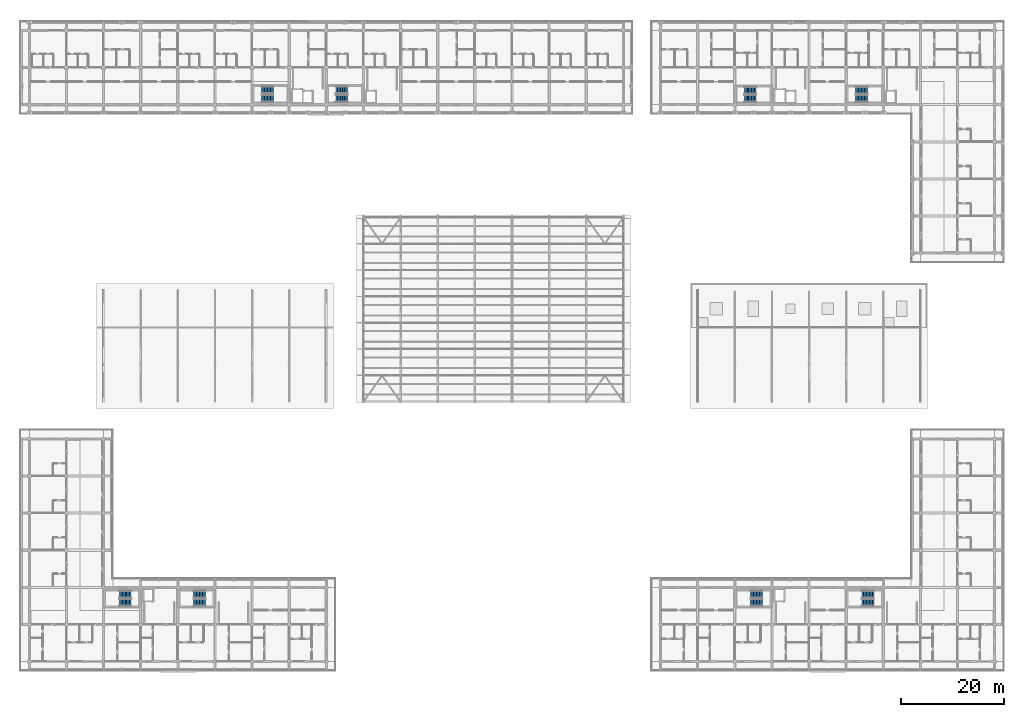
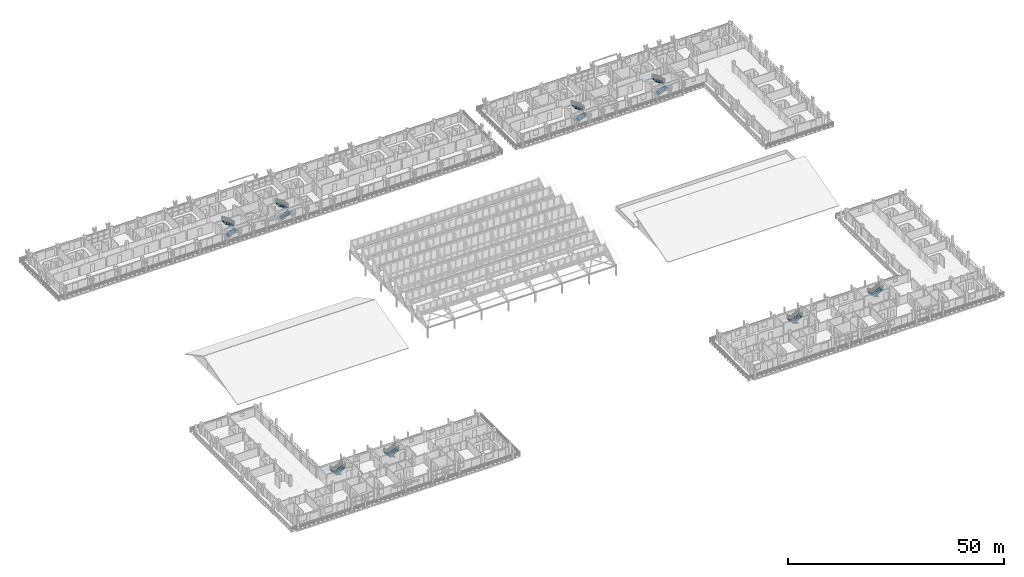
# One storey, part 138 of 157: 16 stair flights, 8 elements without a shape of their own.
"""IFC4 building model written with IfcOpenShell, lengths in metres."""

import ifcopenshell
import ifcopenshell.guid

model = None  # the IFC model being written
_history = None  # IfcOwnerHistory: only IFC2X3 demands one
_inside = {}  # id of a spatial element -> (the spatial element, [elements in it])
_under = {}  # id of a project, library or spatial element -> (it, [spatial elements below it])
_declared = {}  # id of a project -> (the project, [libraries it declares])
_typed = {}  # id of a type object -> (the type object, [elements of that type])
_made_of = {}  # id of a material, layer set ... -> (it, [elements and type objects made of it])


def new_model(schema):
    """Start an empty IFC model of exactly this schema.

    Asked for "IFC4X3", IfcOpenShell would pick the latest addendum, in which some entities
    have other attributes; the version numbers below select the first issue.
    IFC2X3 requires an IfcOwnerHistory on every rooted entity: one is made here for all.
    """
    global model, _history
    if schema == "IFC4X3":
        model = ifcopenshell.file(schema_version=(4, 3, 0, 0))
    else:
        model = ifcopenshell.file(schema=schema)
    _inside.clear()
    _under.clear()
    _declared.clear()
    _typed.clear()
    _made_of.clear()
    _history = None
    if model.schema == "IFC2X3":
        org = make("IfcOrganization", Name="unknown")
        user = make(
            "IfcPersonAndOrganization",
            ThePerson=make("IfcPerson", FamilyName="unknown"),
            TheOrganization=org,
        )
        app = make(
            "IfcApplication",
            ApplicationDeveloper=org,
            Version="unknown",
            ApplicationFullName="unknown",
            ApplicationIdentifier="unknown",
        )
        _history = make(
            "IfcOwnerHistory",
            OwningUser=user,
            OwningApplication=app,
            ChangeAction="ADDED",
            CreationDate=0,
        )
    return model


def make(cls, **values):
    """One entity of the class cls with the attributes given. An attribute that is None is left unset."""
    return model.create_entity(
        cls, **{name: value for name, value in values.items() if value is not None}
    )


def rooted(cls, **values):
    """An entity with a GlobalId (a new one), such as an element, a storey or a relation."""
    return make(cls, GlobalId=ifcopenshell.guid.new(), OwnerHistory=_history, **values)


def si_unit(unit_type, name, prefix=None):
    """IfcSIUnit, for example si_unit("LENGTHUNIT", "METRE", prefix="MILLI")."""
    return make("IfcSIUnit", UnitType=unit_type, Prefix=prefix, Name=name)


def assignment(units):
    """IfcUnitAssignment: the units of a project."""
    return None if units is None else make("IfcUnitAssignment", Units=units)


def point(xyz):
    """IfcCartesianPoint."""
    return None if xyz is None else make("IfcCartesianPoint", Coordinates=xyz)


def direction(xyz):
    """IfcDirection."""
    return None if xyz is None else make("IfcDirection", DirectionRatios=xyz)


def frame(location, z_axis=None, x_axis=None):
    """IfcAxis2Placement3D, a coordinate frame: its origin and axes. An axis left out is left unset."""
    return make(
        "IfcAxis2Placement3D",
        Location=point(location),
        Axis=direction(z_axis),
        RefDirection=direction(x_axis),
    )


def origin():
    """The frame at (0, 0, 0) with its axes left unset."""
    return frame((0.0, 0.0, 0.0))


def place(relative_to, where):
    """IfcLocalPlacement: puts the frame where relative to a parent placement (None: the world)."""
    return make(
        "IfcLocalPlacement", PlacementRelTo=relative_to, RelativePlacement=where
    )


def context(
    kind, dimensions, precision=None, world=None, true_north=None, identifier=None
):
    """IfcGeometricRepresentationContext, for example the 3D "Model" context."""
    return make(
        "IfcGeometricRepresentationContext",
        ContextIdentifier=identifier,
        ContextType=kind,
        CoordinateSpaceDimension=dimensions,
        Precision=precision,
        WorldCoordinateSystem=world,
        TrueNorth=true_north,
    )


def subcontext(parent, identifier, kind, view, scale=None):
    """IfcGeometricRepresentationSubContext, for example "Body" below "Model"."""
    return make(
        "IfcGeometricRepresentationSubContext",
        ContextIdentifier=identifier,
        ContextType=kind,
        ParentContext=parent,
        TargetScale=scale,
        TargetView=view,
    )


def project(units=None, contexts=None):
    """IfcProject with its units and contexts."""
    return rooted(
        "IfcProject",
        Name="project",
        RepresentationContexts=contexts,
        UnitsInContext=assignment(units),
    )


def spatial(cls, under=None, at=None, **own):
    """A site, building, storey or space (cls), placed at a placement, below another one or the project."""
    s = rooted(cls, ObjectPlacement=at, **own)
    if under is not None:
        _under.setdefault(under.id(), (under, []))[1].append(s)
    return s


def polyline(points):
    """IfcPolyline through the points."""
    return make("IfcPolyline", Points=[point(p) for p in points])


def outline(outer, holes=None, kind="AREA"):
    """IfcArbitraryClosedProfileDef: a profile drawn as a closed curve; with holes, ...WithVoids."""
    if holes is None:
        return make("IfcArbitraryClosedProfileDef", ProfileType=kind, OuterCurve=outer)
    return make(
        "IfcArbitraryProfileDefWithVoids",
        ProfileType=kind,
        OuterCurve=outer,
        InnerCurves=holes,
    )


def extrude(swept, where, along, depth):
    """IfcExtrudedAreaSolid: the profile swept, set in the frame where, extruded along a direction by depth."""
    return make(
        "IfcExtrudedAreaSolid",
        SweptArea=swept,
        Position=where,
        ExtrudedDirection=direction(along),
        Depth=depth,
    )


def shape(context_of_items, identifier, shape_type, items):
    """IfcShapeRepresentation: the items that make up one representation, for example the "Body"."""
    return make(
        "IfcShapeRepresentation",
        ContextOfItems=context_of_items,
        RepresentationIdentifier=identifier,
        RepresentationType=shape_type,
        Items=items,
    )


def material(Name=None, Category=None):
    """IfcMaterial."""
    return make("IfcMaterial", Name=Name, Category=Category)


def made_of(thing, what):
    """Note that an element or type object is made of a material, layer set ...; save() writes the relation."""
    if what is not None:
        _made_of.setdefault(what.id(), (what, []))[1].append(thing)
    return thing


def type_object(cls, material=None, **own):
    """A type object (cls), such as IfcWallType, which elements share."""
    return made_of(rooted(cls, **own), material)


def element(
    cls,
    number,
    at=None,
    inside=None,
    cuts=None,
    type_object=None,
    material=None,
    context=None,
    identifier="Body",
    shape_type=None,
    held_by="IfcProductDefinitionShape",
    body=None,
    shapes=None,
    **own,
):
    """One element of the class cls, such as IfcWall. Its Tag is "e" and its number.

    at: its placement. inside: the storey or other place that contains it. cuts: it is an
    opening in that element (IfcRelVoidsElement). A single representation is given by context,
    identifier, shape_type and body (its items); several are given by shapes. held_by: the class
    of the entity that holds the representations. save() writes the other relations.
    """
    e = rooted(cls, Tag="e%d" % number, ObjectPlacement=at, **own)
    if body is not None:
        shapes = [shape(context, identifier, shape_type, body)]
    if shapes is not None:
        e.Representation = make(held_by, Representations=shapes)
    if inside is not None:
        _inside.setdefault(inside.id(), (inside, []))[1].append(e)
    if cuts is not None:
        rooted(
            "IfcRelVoidsElement", RelatingBuildingElement=cuts, RelatedOpeningElement=e
        )
    if type_object is not None:
        _typed.setdefault(type_object.id(), (type_object, []))[1].append(e)
    return made_of(e, material)


def aggregate(whole, parts):
    """IfcRelAggregates: a whole, such as a stair, and the parts it consists of."""
    return rooted("IfcRelAggregates", RelatingObject=whole, RelatedObjects=parts)


def save(model, path):
    """Write the relations noted so far, then the file.

    IfcRelAggregates (storeys below a building ...), IfcRelContainedInSpatialStructure (elements
    in a storey), IfcRelDefinesByType, IfcRelAssociatesMaterial and IfcRelDeclares: one each for
    every whole, place, type object, material and project.
    """
    for whole, parts in _under.values():
        aggregate(whole, parts)
    for where, things in _inside.values():
        rooted(
            "IfcRelContainedInSpatialStructure",
            RelatedElements=things,
            RelatingStructure=where,
        )
    for kind, things in _typed.values():
        rooted("IfcRelDefinesByType", RelatedObjects=things, RelatingType=kind)
    for what, things in _made_of.values():
        rooted("IfcRelAssociatesMaterial", RelatedObjects=things, RelatingMaterial=what)
    for by, libraries in _declared.values():
        rooted("IfcRelDeclares", RelatingContext=by, RelatedDefinitions=libraries)
    model.write(path)


model = new_model("IFC4")

# Units and contexts
model_context = context("Model", 3, precision=1e-05, world=origin(), true_north=direction((0.0, 1.0)))
body_context = subcontext(model_context, "Body", "Model", "MODEL_VIEW")
ifc_project = project(units=[si_unit("LENGTHUNIT", "METRE"), si_unit("AREAUNIT", "SQUARE_METRE"), si_unit("VOLUMEUNIT", "CUBIC_METRE"), si_unit("PLANEANGLEUNIT", "RADIAN"), si_unit("MASSUNIT", "GRAM", prefix="KILO")], contexts=[model_context])

# Site, building, storey
site_placement = place(None, origin())
site = spatial("IfcSite", under=ifc_project, at=site_placement, CompositionType="ELEMENT")
building_placement = place(site_placement, origin())
building = spatial("IfcBuilding", under=site, at=building_placement, Name="Suanplinth Sawtooth Commons", CompositionType="ELEMENT")
storey_placement = place(building_placement, frame((0.0, 0.0, 9.0)))
storey = spatial("IfcBuildingStorey", under=building, at=storey_placement, Name="L02", CompositionType="ELEMENT", Elevation=9.0)

# Stair, stair flights
ifc_material = material(Name="Concrete C40/50", Category="concrete")
stair_type_1 = type_object("IfcStairType", Name="ST-03", PredefinedType="USERDEFINED", material=ifc_material)
stair_1_placement = place(storey_placement, origin())
stair_1 = element("IfcStair", 1, at=stair_1_placement, inside=storey, type_object=stair_type_1, Name="L02 Exit Stair ST-N1", ObjectType="TWO_RETURN_STAIR", PredefinedType="USERDEFINED")
stair_flight_type_1 = type_object("IfcStairFlightType", Name="SF-04", PredefinedType="STRAIGHT", material=ifc_material)
stair_flight_1_placement = place(storey_placement, frame((45.050048828125, 109.175048828125, 0.0), z_axis=(0.0, 0.0, 1.0), x_axis=(1.0, 0.0, 0.0)))
stair_flight_1 = element("IfcStairFlight", 2, at=stair_flight_1_placement, type_object=stair_flight_type_1, Name="ST-03 flight 1", NumberOfRisers=9, NumberOfTreads=8, PredefinedType="STRAIGHT", RiserHeight=0.177777778, TreadLength=0.285, context=body_context, shape_type="SweptSolid", body=[
    extrude(outline(polyline([(0.0, 0.0), (0.0, 0.177734375), (0.284912109375, 0.177734375), (0.284912109375, 0.35546875), (0.570068359375, 0.35546875), (0.570068359375, 0.533447265625), (0.85498046875, 0.533447265625), (0.85498046875, 0.711181640625), (1.139892578125, 0.711181640625), (1.139892578125, 0.888916015625), (1.425048828125, 0.888916015625), (1.425048828125, 1.066650390625), (1.7099609375, 1.066650390625), (1.7099609375, 1.244384765625), (1.9951171875, 1.244384765625), (1.9951171875, 1.422119140625), (2.280029296875, 1.422119140625), (2.280029296875, 1.60009765625), (2.280029296875, 1.233642578125), (0.30224609375, 0.0), (0.0, 0.0)])), frame((0.0, 0.72509765625, 0.0), z_axis=(0.0, -1.0, 0.0), x_axis=(1.0, 0.0, 0.0)), (0.0, 0.0, 1.0), 1.449951171875),
])
stair_flight_2_placement = place(storey_placement, frame((47.330078125, 110.824951171875, 1.60009765625), z_axis=(0.0, 0.0, 1.0), x_axis=(-1.0, 0.0, 0.0)))
stair_flight_2 = element("IfcStairFlight", 3, at=stair_flight_2_placement, type_object=stair_flight_type_1, Name="ST-03 flight 2", NumberOfRisers=9, NumberOfTreads=8, PredefinedType="STRAIGHT", RiserHeight=0.177777778, TreadLength=0.285, context=body_context, shape_type="SweptSolid", body=[
    extrude(outline(polyline([(0.0, 0.0), (0.0, 0.177734375), (0.284912109375, 0.177734375), (0.284912109375, 0.35546875), (0.570068359375, 0.35546875), (0.570068359375, 0.533447265625), (0.85498046875, 0.533447265625), (0.85498046875, 0.711181640625), (1.139892578125, 0.711181640625), (1.139892578125, 0.888916015625), (1.425048828125, 0.888916015625), (1.425048828125, 1.066650390625), (1.7099609375, 1.066650390625), (1.7099609375, 1.244384765625), (1.9951171875, 1.244384765625), (1.9951171875, 1.422119140625), (2.280029296875, 1.422119140625), (2.280029296875, 1.60009765625), (2.280029296875, 1.233642578125), (0.30224609375, 0.0), (0.0, 0.0)])), frame((0.0, 0.72509765625, 0.0), z_axis=(0.0, -1.0, 0.0), x_axis=(1.0, 0.0, 0.0)), (0.0, 0.0, 1.0), 1.449951171875),
])
aggregate(stair_1, [stair_flight_1, stair_flight_2])

stair_2_placement = place(storey_placement, origin())
stair_2 = element("IfcStair", 4, at=stair_2_placement, inside=storey, type_object=stair_type_1, Name="L02 Exit Stair ST-N2", ObjectType="TWO_RETURN_STAIR", PredefinedType="USERDEFINED")
stair_flight_3_placement = place(storey_placement, frame((59.449951171875, 109.175048828125, 0.0), z_axis=(0.0, 0.0, 1.0), x_axis=(1.0, 0.0, 0.0)))
stair_flight_3 = element("IfcStairFlight", 5, at=stair_flight_3_placement, type_object=stair_flight_type_1, Name="ST-03 flight 1", NumberOfRisers=9, NumberOfTreads=8, PredefinedType="STRAIGHT", RiserHeight=0.177777778, TreadLength=0.285, context=body_context, shape_type="SweptSolid", body=[
    extrude(outline(polyline([(0.0, 0.0), (0.0, 0.177734375), (0.284912109375, 0.177734375), (0.284912109375, 0.35546875), (0.570068359375, 0.35546875), (0.570068359375, 0.533447265625), (0.85498046875, 0.533447265625), (0.85498046875, 0.711181640625), (1.139892578125, 0.711181640625), (1.139892578125, 0.888916015625), (1.425048828125, 0.888916015625), (1.425048828125, 1.066650390625), (1.7099609375, 1.066650390625), (1.7099609375, 1.244384765625), (1.9951171875, 1.244384765625), (1.9951171875, 1.422119140625), (2.280029296875, 1.422119140625), (2.280029296875, 1.60009765625), (2.280029296875, 1.233642578125), (0.30224609375, 0.0), (0.0, 0.0)])), frame((0.0, 0.72509765625, 0.0), z_axis=(0.0, -1.0, 0.0), x_axis=(1.0, 0.0, 0.0)), (0.0, 0.0, 1.0), 1.449951171875),
])
stair_flight_4_placement = place(storey_placement, frame((61.72998046875, 110.824951171875, 1.60009765625), z_axis=(0.0, 0.0, 1.0), x_axis=(-1.0, 0.0, 0.0)))
stair_flight_4 = element("IfcStairFlight", 6, at=stair_flight_4_placement, type_object=stair_flight_type_1, Name="ST-03 flight 2", NumberOfRisers=9, NumberOfTreads=8, PredefinedType="STRAIGHT", RiserHeight=0.177777778, TreadLength=0.285, context=body_context, shape_type="SweptSolid", body=[
    extrude(outline(polyline([(0.0, 0.0), (0.0, 0.177734375), (0.284912109375, 0.177734375), (0.284912109375, 0.35546875), (0.570068359375, 0.35546875), (0.570068359375, 0.533447265625), (0.85498046875, 0.533447265625), (0.85498046875, 0.711181640625), (1.139892578125, 0.711181640625), (1.139892578125, 0.888916015625), (1.425048828125, 0.888916015625), (1.425048828125, 1.066650390625), (1.7099609375, 1.066650390625), (1.7099609375, 1.244384765625), (1.9951171875, 1.244384765625), (1.9951171875, 1.422119140625), (2.280029296875, 1.422119140625), (2.280029296875, 1.60009765625), (2.280029296875, 1.233642578125), (0.30224609375, 0.0), (0.0, 0.0)])), frame((0.0, 0.72509765625, 0.0), z_axis=(0.0, -1.0, 0.0), x_axis=(1.0, 0.0, 0.0)), (0.0, 0.0, 1.0), 1.449951171875),
])
aggregate(stair_2, [stair_flight_3, stair_flight_4])

stair_type_2 = type_object("IfcStairType", Name="ST-07", PredefinedType="USERDEFINED", material=ifc_material)
stair_3_placement = place(storey_placement, origin())
stair_3 = element("IfcStair", 7, at=stair_3_placement, inside=storey, type_object=stair_type_2, Name="L02 Exit Stair ST-E1", ObjectType="TWO_RETURN_STAIR", PredefinedType="USERDEFINED")
stair_flight_type_2 = type_object("IfcStairFlightType", Name="SF-08", PredefinedType="STRAIGHT", material=ifc_material)
stair_flight_5_placement = place(storey_placement, frame((138.64990234375, 109.14990234375, 0.0), z_axis=(0.0, 0.0, 1.0), x_axis=(1.0, 0.0, 0.0)))
stair_flight_5 = element("IfcStairFlight", 8, at=stair_flight_5_placement, type_object=stair_flight_type_2, Name="ST-07 flight 1", NumberOfRisers=9, NumberOfTreads=8, PredefinedType="STRAIGHT", RiserHeight=0.177777778, TreadLength=0.285, context=body_context, shape_type="SweptSolid", body=[
    extrude(outline(polyline([(0.0, 0.0), (0.0, 0.177734375), (0.284912109375, 0.177734375), (0.284912109375, 0.35546875), (0.570068359375, 0.35546875), (0.570068359375, 0.533447265625), (0.85498046875, 0.533447265625), (0.85498046875, 0.711181640625), (1.139892578125, 0.711181640625), (1.139892578125, 0.888916015625), (1.425048828125, 0.888916015625), (1.425048828125, 1.066650390625), (1.7099609375, 1.066650390625), (1.7099609375, 1.244384765625), (1.9951171875, 1.244384765625), (1.9951171875, 1.422119140625), (2.280029296875, 1.422119140625), (2.280029296875, 1.60009765625), (2.280029296875, 1.233642578125), (0.30224609375, 0.0), (0.0, 0.0)])), frame((0.0, 0.699951171875, 0.0), z_axis=(0.0, -1.0, 0.0), x_axis=(1.0, 0.0, 0.0)), (0.0, 0.0, 1.0), 1.39990234375),
])
stair_flight_6_placement = place(storey_placement, frame((140.929931640625, 110.75, 1.60009765625), z_axis=(0.0, 0.0, 1.0), x_axis=(-1.0, 0.0, 0.0)))
stair_flight_6 = element("IfcStairFlight", 9, at=stair_flight_6_placement, type_object=stair_flight_type_2, Name="ST-07 flight 2", NumberOfRisers=9, NumberOfTreads=8, PredefinedType="STRAIGHT", RiserHeight=0.177777778, TreadLength=0.285, context=body_context, shape_type="SweptSolid", body=[
    extrude(outline(polyline([(0.0, 0.0), (0.0, 0.177734375), (0.284912109375, 0.177734375), (0.284912109375, 0.35546875), (0.570068359375, 0.35546875), (0.570068359375, 0.533447265625), (0.85498046875, 0.533447265625), (0.85498046875, 0.711181640625), (1.139892578125, 0.711181640625), (1.139892578125, 0.888916015625), (1.425048828125, 0.888916015625), (1.425048828125, 1.066650390625), (1.7099609375, 1.066650390625), (1.7099609375, 1.244384765625), (1.9951171875, 1.244384765625), (1.9951171875, 1.422119140625), (2.280029296875, 1.422119140625), (2.280029296875, 1.60009765625), (2.280029296875, 1.233642578125), (0.30224609375, 0.0), (0.0, 0.0)])), frame((0.0, 0.699951171875, 0.0), z_axis=(0.0, -1.0, 0.0), x_axis=(1.0, 0.0, 0.0)), (0.0, 0.0, 1.0), 1.39990234375),
])
aggregate(stair_3, [stair_flight_5, stair_flight_6])

stair_4_placement = place(storey_placement, origin())
stair_4 = element("IfcStair", 10, at=stair_4_placement, inside=storey, type_object=stair_type_2, Name="L02 Exit Stair ST-E2", ObjectType="TWO_RETURN_STAIR", PredefinedType="USERDEFINED")
stair_flight_7_placement = place(storey_placement, frame((160.25, 109.14990234375, 0.0), z_axis=(0.0, 0.0, 1.0), x_axis=(1.0, 0.0, 0.0)))
stair_flight_7 = element("IfcStairFlight", 11, at=stair_flight_7_placement, type_object=stair_flight_type_2, Name="ST-07 flight 1", NumberOfRisers=9, NumberOfTreads=8, PredefinedType="STRAIGHT", RiserHeight=0.177777778, TreadLength=0.285, context=body_context, shape_type="SweptSolid", body=[
    extrude(outline(polyline([(0.0, 0.0), (0.0, 0.177734375), (0.284912109375, 0.177734375), (0.284912109375, 0.35546875), (0.570068359375, 0.35546875), (0.570068359375, 0.533447265625), (0.85498046875, 0.533447265625), (0.85498046875, 0.711181640625), (1.139892578125, 0.711181640625), (1.139892578125, 0.888916015625), (1.425048828125, 0.888916015625), (1.425048828125, 1.066650390625), (1.7099609375, 1.066650390625), (1.7099609375, 1.244384765625), (1.9951171875, 1.244384765625), (1.9951171875, 1.422119140625), (2.280029296875, 1.422119140625), (2.280029296875, 1.60009765625), (2.280029296875, 1.233642578125), (0.30224609375, 0.0), (0.0, 0.0)])), frame((0.0, 0.699951171875, 0.0), z_axis=(0.0, -1.0, 0.0), x_axis=(1.0, 0.0, 0.0)), (0.0, 0.0, 1.0), 1.39990234375),
])
stair_flight_8_placement = place(storey_placement, frame((162.530029296875, 110.75, 1.60009765625), z_axis=(0.0, 0.0, 1.0), x_axis=(-1.0, 0.0, 0.0)))
stair_flight_8 = element("IfcStairFlight", 12, at=stair_flight_8_placement, type_object=stair_flight_type_2, Name="ST-07 flight 2", NumberOfRisers=9, NumberOfTreads=8, PredefinedType="STRAIGHT", RiserHeight=0.177777778, TreadLength=0.285, context=body_context, shape_type="SweptSolid", body=[
    extrude(outline(polyline([(0.0, 0.0), (0.0, 0.177734375), (0.284912109375, 0.177734375), (0.284912109375, 0.35546875), (0.570068359375, 0.35546875), (0.570068359375, 0.533447265625), (0.85498046875, 0.533447265625), (0.85498046875, 0.711181640625), (1.139892578125, 0.711181640625), (1.139892578125, 0.888916015625), (1.425048828125, 0.888916015625), (1.425048828125, 1.066650390625), (1.7099609375, 1.066650390625), (1.7099609375, 1.244384765625), (1.9951171875, 1.244384765625), (1.9951171875, 1.422119140625), (2.280029296875, 1.422119140625), (2.280029296875, 1.60009765625), (2.280029296875, 1.233642578125), (0.30224609375, 0.0), (0.0, 0.0)])), frame((0.0, 0.699951171875, 0.0), z_axis=(0.0, -1.0, 0.0), x_axis=(1.0, 0.0, 0.0)), (0.0, 0.0, 1.0), 1.39990234375),
])
aggregate(stair_4, [stair_flight_7, stair_flight_8])

stair_5_placement = place(storey_placement, origin())
stair_5 = element("IfcStair", 13, at=stair_5_placement, inside=storey, type_object=stair_type_2, Name="L02 Exit Stair ST-S1", ObjectType="TWO_RETURN_STAIR", PredefinedType="USERDEFINED")
stair_flight_9_placement = place(storey_placement, frame((142.14990234375, 13.050048828125, 0.0), z_axis=(0.0, 0.0, 1.0), x_axis=(-1.0, 0.0, 0.0)))
stair_flight_9 = element("IfcStairFlight", 14, at=stair_flight_9_placement, type_object=stair_flight_type_2, Name="ST-07 flight 1", NumberOfRisers=9, NumberOfTreads=8, PredefinedType="STRAIGHT", RiserHeight=0.177777778, TreadLength=0.285, context=body_context, shape_type="SweptSolid", body=[
    extrude(outline(polyline([(0.0, 0.0), (0.0, 0.177734375), (0.284912109375, 0.177734375), (0.284912109375, 0.35546875), (0.570068359375, 0.35546875), (0.570068359375, 0.533447265625), (0.85498046875, 0.533447265625), (0.85498046875, 0.711181640625), (1.139892578125, 0.711181640625), (1.139892578125, 0.888916015625), (1.425048828125, 0.888916015625), (1.425048828125, 1.066650390625), (1.7099609375, 1.066650390625), (1.7099609375, 1.244384765625), (1.9951171875, 1.244384765625), (1.9951171875, 1.422119140625), (2.280029296875, 1.422119140625), (2.280029296875, 1.60009765625), (2.280029296875, 1.233642578125), (0.30224609375, 0.0), (0.0, 0.0)])), frame((0.0, 0.699951171875, 0.0), z_axis=(0.0, -1.0, 0.0), x_axis=(1.0, 0.0, 0.0)), (0.0, 0.0, 1.0), 1.39990234375),
])
stair_flight_10_placement = place(storey_placement, frame((139.8701171875, 11.449951171875, 1.60009765625), z_axis=(0.0, 0.0, 1.0), x_axis=(1.0, 0.0, 0.0)))
stair_flight_10 = element("IfcStairFlight", 15, at=stair_flight_10_placement, type_object=stair_flight_type_2, Name="ST-07 flight 2", NumberOfRisers=9, NumberOfTreads=8, PredefinedType="STRAIGHT", RiserHeight=0.177777778, TreadLength=0.285, context=body_context, shape_type="SweptSolid", body=[
    extrude(outline(polyline([(0.0, 0.0), (0.0, 0.177734375), (0.284912109375, 0.177734375), (0.284912109375, 0.35546875), (0.570068359375, 0.35546875), (0.570068359375, 0.533447265625), (0.85498046875, 0.533447265625), (0.85498046875, 0.711181640625), (1.139892578125, 0.711181640625), (1.139892578125, 0.888916015625), (1.425048828125, 0.888916015625), (1.425048828125, 1.066650390625), (1.7099609375, 1.066650390625), (1.7099609375, 1.244384765625), (1.9951171875, 1.244384765625), (1.9951171875, 1.422119140625), (2.280029296875, 1.422119140625), (2.280029296875, 1.60009765625), (2.280029296875, 1.233642578125), (0.30224609375, 0.0), (0.0, 0.0)])), frame((0.0, 0.699951171875, 0.0), z_axis=(0.0, -1.0, 0.0), x_axis=(1.0, 0.0, 0.0)), (0.0, 0.0, 1.0), 1.39990234375),
])
aggregate(stair_5, [stair_flight_9, stair_flight_10])

stair_6_placement = place(storey_placement, origin())
stair_6 = element("IfcStair", 16, at=stair_6_placement, inside=storey, type_object=stair_type_2, Name="L02 Exit Stair ST-S2", ObjectType="TWO_RETURN_STAIR", PredefinedType="USERDEFINED")
stair_flight_11_placement = place(storey_placement, frame((163.75, 13.050048828125, 0.0), z_axis=(0.0, 0.0, 1.0), x_axis=(-1.0, 0.0, 0.0)))
stair_flight_11 = element("IfcStairFlight", 17, at=stair_flight_11_placement, type_object=stair_flight_type_2, Name="ST-07 flight 1", NumberOfRisers=9, NumberOfTreads=8, PredefinedType="STRAIGHT", RiserHeight=0.177777778, TreadLength=0.285, context=body_context, shape_type="SweptSolid", body=[
    extrude(outline(polyline([(0.0, 0.0), (0.0, 0.177734375), (0.284912109375, 0.177734375), (0.284912109375, 0.35546875), (0.570068359375, 0.35546875), (0.570068359375, 0.533447265625), (0.85498046875, 0.533447265625), (0.85498046875, 0.711181640625), (1.139892578125, 0.711181640625), (1.139892578125, 0.888916015625), (1.425048828125, 0.888916015625), (1.425048828125, 1.066650390625), (1.7099609375, 1.066650390625), (1.7099609375, 1.244384765625), (1.9951171875, 1.244384765625), (1.9951171875, 1.422119140625), (2.280029296875, 1.422119140625), (2.280029296875, 1.60009765625), (2.280029296875, 1.233642578125), (0.30224609375, 0.0), (0.0, 0.0)])), frame((0.0, 0.699951171875, 0.0), z_axis=(0.0, -1.0, 0.0), x_axis=(1.0, 0.0, 0.0)), (0.0, 0.0, 1.0), 1.39990234375),
])
stair_flight_12_placement = place(storey_placement, frame((161.469970703125, 11.449951171875, 1.60009765625), z_axis=(0.0, 0.0, 1.0), x_axis=(1.0, 0.0, 0.0)))
stair_flight_12 = element("IfcStairFlight", 18, at=stair_flight_12_placement, type_object=stair_flight_type_2, Name="ST-07 flight 2", NumberOfRisers=9, NumberOfTreads=8, PredefinedType="STRAIGHT", RiserHeight=0.177777778, TreadLength=0.285, context=body_context, shape_type="SweptSolid", body=[
    extrude(outline(polyline([(0.0, 0.0), (0.0, 0.177734375), (0.284912109375, 0.177734375), (0.284912109375, 0.35546875), (0.570068359375, 0.35546875), (0.570068359375, 0.533447265625), (0.85498046875, 0.533447265625), (0.85498046875, 0.711181640625), (1.139892578125, 0.711181640625), (1.139892578125, 0.888916015625), (1.425048828125, 0.888916015625), (1.425048828125, 1.066650390625), (1.7099609375, 1.066650390625), (1.7099609375, 1.244384765625), (1.9951171875, 1.244384765625), (1.9951171875, 1.422119140625), (2.280029296875, 1.422119140625), (2.280029296875, 1.60009765625), (2.280029296875, 1.233642578125), (0.30224609375, 0.0), (0.0, 0.0)])), frame((0.0, 0.699951171875, 0.0), z_axis=(0.0, -1.0, 0.0), x_axis=(1.0, 0.0, 0.0)), (0.0, 0.0, 1.0), 1.39990234375),
])
aggregate(stair_6, [stair_flight_11, stair_flight_12])

stair_7_placement = place(storey_placement, origin())
stair_7 = element("IfcStair", 19, at=stair_7_placement, inside=storey, type_object=stair_type_2, Name="L02 Exit Stair ST-W1", ObjectType="TWO_RETURN_STAIR", PredefinedType="USERDEFINED")
stair_flight_13_placement = place(storey_placement, frame((19.75, 13.050048828125, 0.0), z_axis=(0.0, 0.0, 1.0), x_axis=(-1.0, 0.0, 0.0)))
stair_flight_13 = element("IfcStairFlight", 20, at=stair_flight_13_placement, type_object=stair_flight_type_2, Name="ST-07 flight 1", NumberOfRisers=9, NumberOfTreads=8, PredefinedType="STRAIGHT", RiserHeight=0.177777778, TreadLength=0.285, context=body_context, shape_type="SweptSolid", body=[
    extrude(outline(polyline([(0.0, 0.0), (0.0, 0.177734375), (0.284912109375, 0.177734375), (0.284912109375, 0.35546875), (0.570068359375, 0.35546875), (0.570068359375, 0.533447265625), (0.85498046875, 0.533447265625), (0.85498046875, 0.711181640625), (1.139892578125, 0.711181640625), (1.139892578125, 0.888916015625), (1.425048828125, 0.888916015625), (1.425048828125, 1.066650390625), (1.7099609375, 1.066650390625), (1.7099609375, 1.244384765625), (1.9951171875, 1.244384765625), (1.9951171875, 1.422119140625), (2.280029296875, 1.422119140625), (2.280029296875, 1.60009765625), (2.280029296875, 1.233642578125), (0.30224609375, 0.0), (0.0, 0.0)])), frame((0.0, 0.699951171875, 0.0), z_axis=(0.0, -1.0, 0.0), x_axis=(1.0, 0.0, 0.0)), (0.0, 0.0, 1.0), 1.39990234375),
])
stair_flight_14_placement = place(storey_placement, frame((17.469970703125, 11.449951171875, 1.60009765625), z_axis=(0.0, 0.0, 1.0), x_axis=(1.0, 0.0, 0.0)))
stair_flight_14 = element("IfcStairFlight", 21, at=stair_flight_14_placement, type_object=stair_flight_type_2, Name="ST-07 flight 2", NumberOfRisers=9, NumberOfTreads=8, PredefinedType="STRAIGHT", RiserHeight=0.177777778, TreadLength=0.285, context=body_context, shape_type="SweptSolid", body=[
    extrude(outline(polyline([(0.0, 0.0), (0.0, 0.177734375), (0.284912109375, 0.177734375), (0.284912109375, 0.35546875), (0.570068359375, 0.35546875), (0.570068359375, 0.533447265625), (0.85498046875, 0.533447265625), (0.85498046875, 0.711181640625), (1.139892578125, 0.711181640625), (1.139892578125, 0.888916015625), (1.425048828125, 0.888916015625), (1.425048828125, 1.066650390625), (1.7099609375, 1.066650390625), (1.7099609375, 1.244384765625), (1.9951171875, 1.244384765625), (1.9951171875, 1.422119140625), (2.280029296875, 1.422119140625), (2.280029296875, 1.60009765625), (2.280029296875, 1.233642578125), (0.30224609375, 0.0), (0.0, 0.0)])), frame((0.0, 0.699951171875, 0.0), z_axis=(0.0, -1.0, 0.0), x_axis=(1.0, 0.0, 0.0)), (0.0, 0.0, 1.0), 1.39990234375),
])
aggregate(stair_7, [stair_flight_13, stair_flight_14])

stair_8_placement = place(storey_placement, origin())
stair_8 = element("IfcStair", 22, at=stair_8_placement, inside=storey, type_object=stair_type_2, Name="L02 Exit Stair ST-W2", ObjectType="TWO_RETURN_STAIR", PredefinedType="USERDEFINED")
stair_flight_15_placement = place(storey_placement, frame((34.14990234375, 13.050048828125, 0.0), z_axis=(0.0, 0.0, 1.0), x_axis=(-1.0, 0.0, 0.0)))
stair_flight_15 = element("IfcStairFlight", 23, at=stair_flight_15_placement, type_object=stair_flight_type_2, Name="ST-07 flight 1", NumberOfRisers=9, NumberOfTreads=8, PredefinedType="STRAIGHT", RiserHeight=0.177777778, TreadLength=0.285, context=body_context, shape_type="SweptSolid", body=[
    extrude(outline(polyline([(0.0, 0.0), (0.0, 0.177734375), (0.284912109375, 0.177734375), (0.284912109375, 0.35546875), (0.570068359375, 0.35546875), (0.570068359375, 0.533447265625), (0.85498046875, 0.533447265625), (0.85498046875, 0.711181640625), (1.139892578125, 0.711181640625), (1.139892578125, 0.888916015625), (1.425048828125, 0.888916015625), (1.425048828125, 1.066650390625), (1.7099609375, 1.066650390625), (1.7099609375, 1.244384765625), (1.9951171875, 1.244384765625), (1.9951171875, 1.422119140625), (2.280029296875, 1.422119140625), (2.280029296875, 1.60009765625), (2.280029296875, 1.233642578125), (0.30224609375, 0.0), (0.0, 0.0)])), frame((0.0, 0.699951171875, 0.0), z_axis=(0.0, -1.0, 0.0), x_axis=(1.0, 0.0, 0.0)), (0.0, 0.0, 1.0), 1.39990234375),
])
stair_flight_16_placement = place(storey_placement, frame((31.8701171875, 11.449951171875, 1.60009765625), z_axis=(0.0, 0.0, 1.0), x_axis=(1.0, 0.0, 0.0)))
stair_flight_16 = element("IfcStairFlight", 24, at=stair_flight_16_placement, type_object=stair_flight_type_2, Name="ST-07 flight 2", NumberOfRisers=9, NumberOfTreads=8, PredefinedType="STRAIGHT", RiserHeight=0.177777778, TreadLength=0.285, context=body_context, shape_type="SweptSolid", body=[
    extrude(outline(polyline([(0.0, 0.0), (0.0, 0.177734375), (0.284912109375, 0.177734375), (0.284912109375, 0.35546875), (0.570068359375, 0.35546875), (0.570068359375, 0.533447265625), (0.85498046875, 0.533447265625), (0.85498046875, 0.711181640625), (1.139892578125, 0.711181640625), (1.139892578125, 0.888916015625), (1.425048828125, 0.888916015625), (1.425048828125, 1.066650390625), (1.7099609375, 1.066650390625), (1.7099609375, 1.244384765625), (1.9951171875, 1.244384765625), (1.9951171875, 1.422119140625), (2.280029296875, 1.422119140625), (2.280029296875, 1.60009765625), (2.280029296875, 1.233642578125), (0.30224609375, 0.0), (0.0, 0.0)])), frame((0.0, 0.699951171875, 0.0), z_axis=(0.0, -1.0, 0.0), x_axis=(1.0, 0.0, 0.0)), (0.0, 0.0, 1.0), 1.39990234375),
])
aggregate(stair_8, [stair_flight_15, stair_flight_16])

save(model, "model.ifc")
